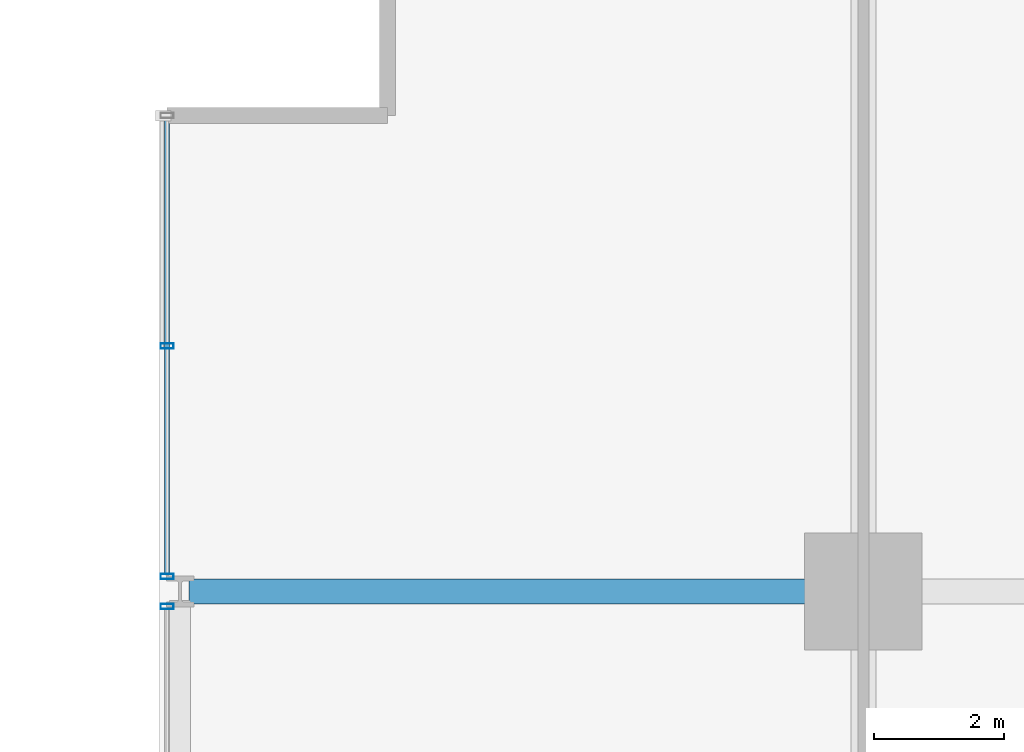
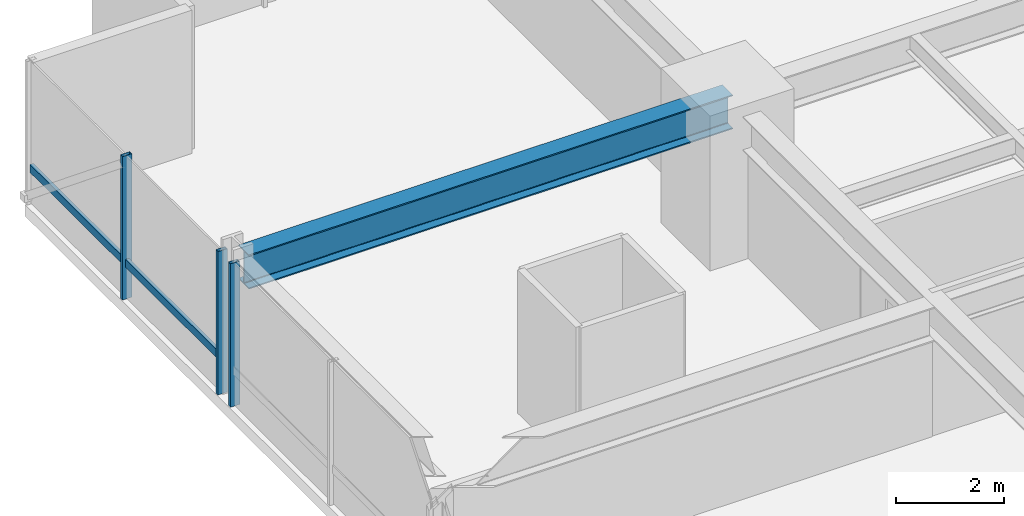
# One storey, part 19 of 37: 4 members, 1 beam, 2 elements without a shape of their own.
"""IFC4 building model written with IfcOpenShell, lengths in metres."""

from ifc_helpers import new_model, si_unit, direction, frame, origin, origin_2d, place, context, subcontext, project, spatial, hollow_rectangle, i_section, extrude, material, layer, layer_set, material_profile, profile_set, type_object, element, aggregate, save


model = new_model("IFC4")

# Units and contexts
model_context = context("Model", 3, precision=1e-05, world=origin(), true_north=direction((0.0, 1.0)))
body_context = subcontext(model_context, "Body", "Model", "MODEL_VIEW")
ifc_project = project(units=[si_unit("LENGTHUNIT", "METRE"), si_unit("AREAUNIT", "SQUARE_METRE"), si_unit("VOLUMEUNIT", "CUBIC_METRE"), si_unit("PLANEANGLEUNIT", "RADIAN"), si_unit("MASSUNIT", "GRAM", prefix="KILO")], contexts=[model_context])

# Site, building, storey
site_placement = place(None, origin())
site = spatial("IfcSite", under=ifc_project, at=site_placement, CompositionType="ELEMENT")
building_placement = place(site_placement, origin())
building = spatial("IfcBuilding", under=site, at=building_placement, Name="Drelvath Grand Hotel", CompositionType="ELEMENT")
storey_placement = place(building_placement, frame((0.0, 0.0, 75.199951171875)))
storey = spatial("IfcBuildingStorey", under=building, at=storey_placement, Name="L18", CompositionType="ELEMENT", Elevation=75.199951171875)

# Curtain wall, member
ifc_material_1 = material(Name="Warm Bronze Anodised Aluminium Frame", Category="aluminium")
ifc_layer = layer(ifc_material_1, 0.199951171875)
ifc_layer_set = layer_set([ifc_layer], Name="Warm Bronze Anodised Aluminium Frame")
curtain_wall_type = type_object("IfcCurtainWallType", Name="Stick Curtain Wall CW-02 Warm Bronze Low-Rise", PredefinedType="NOTDEFINED", material=ifc_layer_set)
curtain_wall_1_placement = place(storey_placement, origin())
curtain_wall_1 = element("IfcCurtainWall", 1, at=curtain_wall_1_placement, inside=storey, type_object=curtain_wall_type, Name="L18 CW-02 Curtain Wall CW02-L18-WN3", PredefinedType="NOTDEFINED")
ifc_material_profile_1 = material_profile(ifc_material_1, hollow_rectangle(XDim=0.074951171875, YDim=0.179931640625, WallThickness=0.0048828125, at=origin_2d()), Name="HSS180X75X5")
ifc_profile_set_1 = profile_set([ifc_material_profile_1], Name="Warm Bronze Anodised Aluminium Frame")
member_type_1 = type_object("IfcMemberType", Name="Curtain Wall Horizontal Transom CW-02 HSS180X75X5", PredefinedType="USERDEFINED", material=ifc_profile_set_1)
member_1_placement = place(storey_placement, frame((-26.8798828125, 43.468994140625, 0.81005859375), z_axis=(0.0, 1.0, 0.0), x_axis=(-1.0, 0.0, 0.0)))
member_1 = element("IfcMember", 2, at=member_1_placement, type_object=member_type_1, Name="CW02-L18-WN3 Sill Transom", ObjectType="TRANSOM", PredefinedType="USERDEFINED", context=body_context, shape_type="SweptSolid", body=[
    extrude(hollow_rectangle(XDim=0.074951171875, YDim=0.179931640625, WallThickness=0.0048828125, at=origin_2d()), origin(), (0.0, 0.0, 1.0), 6.990966796875),
])

curtain_wall_2_placement = place(storey_placement, origin())
curtain_wall_2 = element("IfcCurtainWall", 3, at=curtain_wall_2_placement, inside=storey, type_object=curtain_wall_type, Name="L18 CW-02 Curtain Wall CW02-L18-WN2", PredefinedType="NOTDEFINED")
ifc_material_profile_2 = material_profile(ifc_material_1, hollow_rectangle(XDim=0.080078125, YDim=0.199951171875, WallThickness=0.0048828125, at=origin_2d()), Name="HSS200X80X5")
ifc_profile_set_2 = profile_set([ifc_material_profile_2], Name="Warm Bronze Anodised Aluminium Frame")
member_type_2 = type_object("IfcMemberType", Name="Curtain Wall Vertical Mullion CW-02 HSS200X80X5", PredefinedType="MULLION", material=ifc_profile_set_2)
member_2_placement = place(storey_placement, frame((-26.8798828125, 42.970947265625, 0.0), z_axis=(0.0, 0.0, 1.0), x_axis=(0.0, 1.0, 0.0)))
member_2 = element("IfcMember", 4, at=member_2_placement, type_object=member_type_2, Name="CW02-L18-WN2 Mullion 3", PredefinedType="MULLION", context=body_context, shape_type="SweptSolid", body=[
    extrude(hollow_rectangle(XDim=0.080078125, YDim=0.199951171875, WallThickness=0.0048828125, at=origin_2d()), origin(), (0.0, 0.0, 1.0), 3.239990234375),
])
aggregate(curtain_wall_2, [member_2])

# Member
member_3_placement = place(storey_placement, frame((-26.8798828125, 43.42919921875, 0.0), z_axis=(0.0, 0.0, 1.0), x_axis=(0.0, 1.0, 0.0)))
member_3 = element("IfcMember", 5, at=member_3_placement, type_object=member_type_2, Name="CW02-L18-WN3 Mullion 1", PredefinedType="MULLION", context=body_context, shape_type="SweptSolid", body=[
    extrude(hollow_rectangle(XDim=0.080078125, YDim=0.199951171875, WallThickness=0.0048828125, at=origin_2d()), origin(), (0.0, 0.0, 1.0), 3.239990234375),
])

member_4_placement = place(storey_placement, frame((-26.8798828125, 46.964599609375, 0.0), z_axis=(0.0, 0.0, 1.0), x_axis=(0.0, 1.0, 0.0)))
member_4 = element("IfcMember", 6, at=member_4_placement, type_object=member_type_2, Name="CW02-L18-WN3 Mullion 2", PredefinedType="MULLION", context=body_context, shape_type="SweptSolid", body=[
    extrude(hollow_rectangle(XDim=0.080078125, YDim=0.199951171875, WallThickness=0.0048828125, at=origin_2d()), origin(), (0.0, 0.0, 1.0), 3.239990234375),
])

aggregate(curtain_wall_1, [member_3, member_4, member_1])

# Beam
ifc_material_2 = material(Name="Steel ASTM A992 Gr 50", Category="steel")
ifc_material_profile_3 = material_profile(ifc_material_2, i_section(OverallWidth=0.380615234375, OverallDepth=0.773193359375, WebThickness=0.0166015625, FlangeThickness=0.027099609375, FilletRadius=0.02490234375, at=origin_2d()), Name="W30X173")
ifc_profile_set_3 = profile_set([ifc_material_profile_3], Name="Steel ASTM A992 Gr 50")
beam_type = type_object("IfcBeamType", Name="Primary Floor Girder W30X173", PredefinedType="BEAM", material=ifc_profile_set_3)
beam_placement = place(storey_placement, frame((-26.5400390625, 43.199951171875, 2.853515625), z_axis=(1.0, 0.0, 0.0), x_axis=(0.0, 1.0, 0.0)))
element("IfcBeam", 7, at=beam_placement, inside=storey, type_object=beam_type, Name="L18 West Grid Girder G", PredefinedType="BEAM", context=body_context, shape_type="SweptSolid", body=[
    extrude(i_section(OverallWidth=0.380615234375, OverallDepth=0.773193359375, WebThickness=0.0166015625, FlangeThickness=0.027099609375, FilletRadius=0.02490234375, at=origin_2d()), origin(), (0.0, 0.0, 1.0), 10.340087890625),
])

save(model, "model.ifc")
